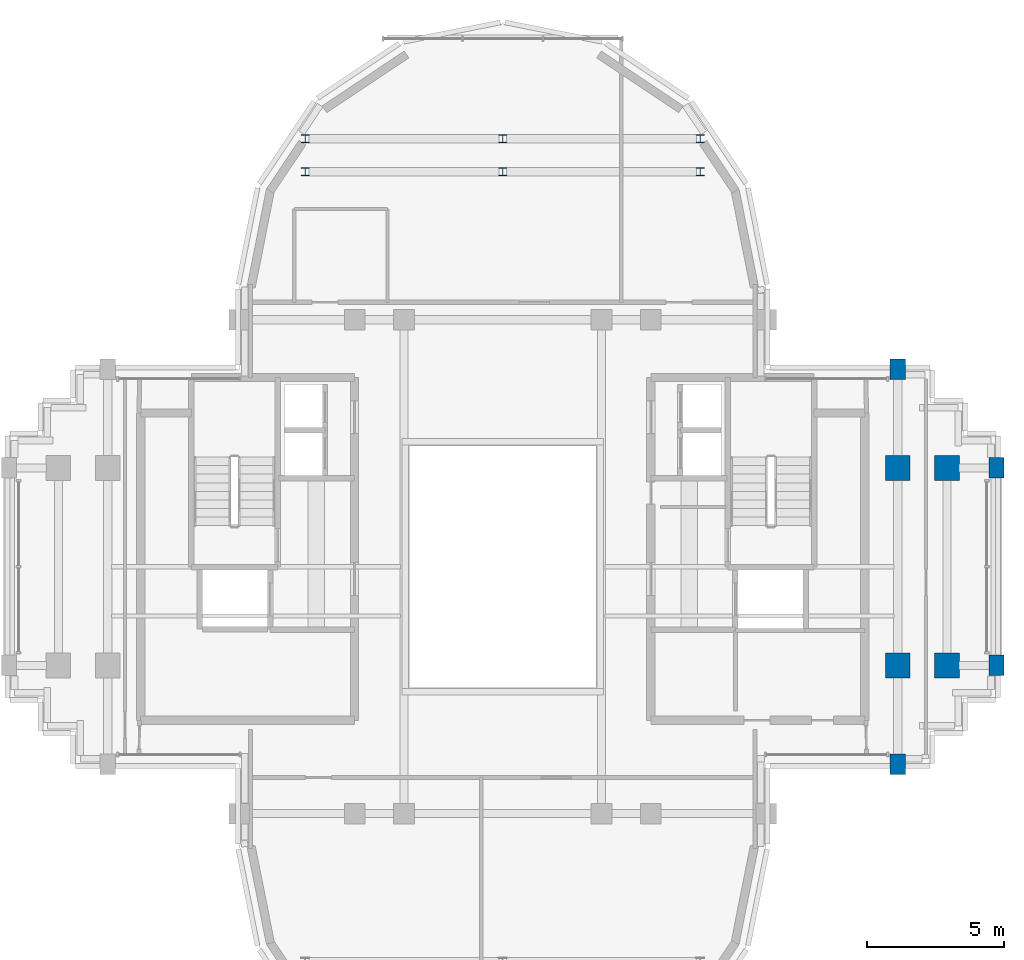
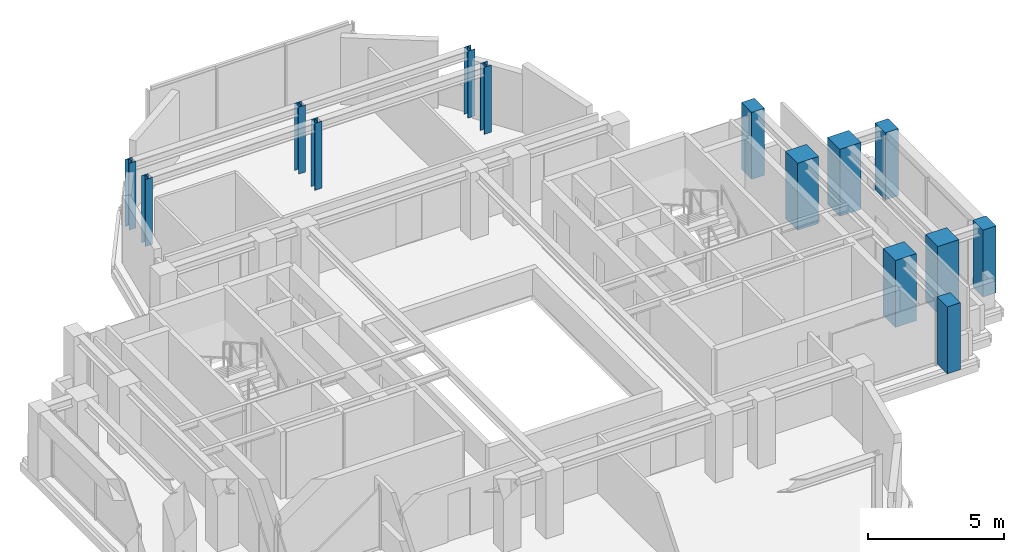
# One storey, part 2 of 12: 14 columns.
"""IFC4 building model written with IfcOpenShell, lengths in metres."""

import ifcopenshell
import ifcopenshell.guid

model = None  # the IFC model being written
_history = None  # IfcOwnerHistory: only IFC2X3 demands one
_inside = {}  # id of a spatial element -> (the spatial element, [elements in it])
_under = {}  # id of a project, library or spatial element -> (it, [spatial elements below it])
_declared = {}  # id of a project -> (the project, [libraries it declares])
_typed = {}  # id of a type object -> (the type object, [elements of that type])
_made_of = {}  # id of a material, layer set ... -> (it, [elements and type objects made of it])


def new_model(schema):
    """Start an empty IFC model of exactly this schema.

    Asked for "IFC4X3", IfcOpenShell would pick the latest addendum, in which some entities
    have other attributes; the version numbers below select the first issue.
    IFC2X3 requires an IfcOwnerHistory on every rooted entity: one is made here for all.
    """
    global model, _history
    if schema == "IFC4X3":
        model = ifcopenshell.file(schema_version=(4, 3, 0, 0))
    else:
        model = ifcopenshell.file(schema=schema)
    _inside.clear()
    _under.clear()
    _declared.clear()
    _typed.clear()
    _made_of.clear()
    _history = None
    if model.schema == "IFC2X3":
        org = make("IfcOrganization", Name="unknown")
        user = make(
            "IfcPersonAndOrganization",
            ThePerson=make("IfcPerson", FamilyName="unknown"),
            TheOrganization=org,
        )
        app = make(
            "IfcApplication",
            ApplicationDeveloper=org,
            Version="unknown",
            ApplicationFullName="unknown",
            ApplicationIdentifier="unknown",
        )
        _history = make(
            "IfcOwnerHistory",
            OwningUser=user,
            OwningApplication=app,
            ChangeAction="ADDED",
            CreationDate=0,
        )
    return model


def make(cls, **values):
    """One entity of the class cls with the attributes given. An attribute that is None is left unset."""
    return model.create_entity(
        cls, **{name: value for name, value in values.items() if value is not None}
    )


def rooted(cls, **values):
    """An entity with a GlobalId (a new one), such as an element, a storey or a relation."""
    return make(cls, GlobalId=ifcopenshell.guid.new(), OwnerHistory=_history, **values)


def si_unit(unit_type, name, prefix=None):
    """IfcSIUnit, for example si_unit("LENGTHUNIT", "METRE", prefix="MILLI")."""
    return make("IfcSIUnit", UnitType=unit_type, Prefix=prefix, Name=name)


def assignment(units):
    """IfcUnitAssignment: the units of a project."""
    return None if units is None else make("IfcUnitAssignment", Units=units)


def point(xyz):
    """IfcCartesianPoint."""
    return None if xyz is None else make("IfcCartesianPoint", Coordinates=xyz)


def direction(xyz):
    """IfcDirection."""
    return None if xyz is None else make("IfcDirection", DirectionRatios=xyz)


def frame(location, z_axis=None, x_axis=None):
    """IfcAxis2Placement3D, a coordinate frame: its origin and axes. An axis left out is left unset."""
    return make(
        "IfcAxis2Placement3D",
        Location=point(location),
        Axis=direction(z_axis),
        RefDirection=direction(x_axis),
    )


def frame_2d(location, x_axis=None):
    """IfcAxis2Placement2D, a coordinate frame in the plane: its origin and x axis."""
    return make(
        "IfcAxis2Placement2D", Location=point(location), RefDirection=direction(x_axis)
    )


def origin():
    """The frame at (0, 0, 0) with its axes left unset."""
    return frame((0.0, 0.0, 0.0))


def origin_2d():
    """The frame at (0, 0) in the plane with its x axis left unset."""
    return frame_2d((0.0, 0.0))


def place(relative_to, where):
    """IfcLocalPlacement: puts the frame where relative to a parent placement (None: the world)."""
    return make(
        "IfcLocalPlacement", PlacementRelTo=relative_to, RelativePlacement=where
    )


def context(
    kind, dimensions, precision=None, world=None, true_north=None, identifier=None
):
    """IfcGeometricRepresentationContext, for example the 3D "Model" context."""
    return make(
        "IfcGeometricRepresentationContext",
        ContextIdentifier=identifier,
        ContextType=kind,
        CoordinateSpaceDimension=dimensions,
        Precision=precision,
        WorldCoordinateSystem=world,
        TrueNorth=true_north,
    )


def subcontext(parent, identifier, kind, view, scale=None):
    """IfcGeometricRepresentationSubContext, for example "Body" below "Model"."""
    return make(
        "IfcGeometricRepresentationSubContext",
        ContextIdentifier=identifier,
        ContextType=kind,
        ParentContext=parent,
        TargetScale=scale,
        TargetView=view,
    )


def project(units=None, contexts=None):
    """IfcProject with its units and contexts."""
    return rooted(
        "IfcProject",
        Name="project",
        RepresentationContexts=contexts,
        UnitsInContext=assignment(units),
    )


def spatial(cls, under=None, at=None, **own):
    """A site, building, storey or space (cls), placed at a placement, below another one or the project."""
    s = rooted(cls, ObjectPlacement=at, **own)
    if under is not None:
        _under.setdefault(under.id(), (under, []))[1].append(s)
    return s


def profile(cls, at=None, kind="AREA", **sizes):
    """A parametric profile (cls). Its sizes go by their IFC names, for example OverallWidth=200.0."""
    return make(cls, ProfileType=kind, Position=at, **sizes)


def rectangle(**sizes):
    """IfcRectangleProfileDef."""
    return profile("IfcRectangleProfileDef", **sizes)


def i_section(**sizes):
    """IfcIShapeProfileDef."""
    return profile("IfcIShapeProfileDef", **sizes)


def extrude(swept, where, along, depth):
    """IfcExtrudedAreaSolid: the profile swept, set in the frame where, extruded along a direction by depth."""
    return make(
        "IfcExtrudedAreaSolid",
        SweptArea=swept,
        Position=where,
        ExtrudedDirection=direction(along),
        Depth=depth,
    )


def shape(context_of_items, identifier, shape_type, items):
    """IfcShapeRepresentation: the items that make up one representation, for example the "Body"."""
    return make(
        "IfcShapeRepresentation",
        ContextOfItems=context_of_items,
        RepresentationIdentifier=identifier,
        RepresentationType=shape_type,
        Items=items,
    )


def source(mapping_origin, context_of_items, identifier, shape_type, items):
    """IfcRepresentationMap: a shape defined once, which mapped items show again and again."""
    return make(
        "IfcRepresentationMap",
        MappingOrigin=mapping_origin,
        MappedRepresentation=shape(context_of_items, identifier, shape_type, items),
    )


def transform(
    local_origin,
    x_axis=None,
    y_axis=None,
    z_axis=None,
    scale=None,
    scale2=None,
    scale3=None,
    uniform=True,
):
    """IfcCartesianTransformationOperator3D, or its non-uniform kind. x_axis, y_axis, z_axis: its Axis1, 2, 3."""
    if uniform:
        return make(
            "IfcCartesianTransformationOperator3D",
            Axis1=direction(x_axis),
            Axis2=direction(y_axis),
            LocalOrigin=point(local_origin),
            Scale=scale,
            Axis3=direction(z_axis),
        )
    return make(
        "IfcCartesianTransformationOperator3DnonUniform",
        Axis1=direction(x_axis),
        Axis2=direction(y_axis),
        LocalOrigin=point(local_origin),
        Scale=scale,
        Axis3=direction(z_axis),
        Scale2=scale2,
        Scale3=scale3,
    )


def mapped(mapping_source, mapping_target):
    """IfcMappedItem: shows the shape of a source again, moved by a transform."""
    return make(
        "IfcMappedItem", MappingSource=mapping_source, MappingTarget=mapping_target
    )


def material(Name=None, Category=None):
    """IfcMaterial."""
    return make("IfcMaterial", Name=Name, Category=Category)


def material_profile(
    of_material, cross_section, Name=None, Category=None, Priority=None
):
    """IfcMaterialProfile: a cross section and its material."""
    return make(
        "IfcMaterialProfile",
        Name=Name,
        Material=of_material,
        Profile=cross_section,
        Priority=Priority,
        Category=Category,
    )


def profile_set(profiles, Name=None, composite=None):
    """IfcMaterialProfileSet."""
    return make(
        "IfcMaterialProfileSet",
        Name=Name,
        MaterialProfiles=profiles,
        CompositeProfile=composite,
    )


def made_of(thing, what):
    """Note that an element or type object is made of a material, layer set ...; save() writes the relation."""
    if what is not None:
        _made_of.setdefault(what.id(), (what, []))[1].append(thing)
    return thing


def type_object(cls, material=None, **own):
    """A type object (cls), such as IfcWallType, which elements share."""
    return made_of(rooted(cls, **own), material)


def element(
    cls,
    number,
    at=None,
    inside=None,
    cuts=None,
    type_object=None,
    material=None,
    context=None,
    identifier="Body",
    shape_type=None,
    held_by="IfcProductDefinitionShape",
    body=None,
    shapes=None,
    **own,
):
    """One element of the class cls, such as IfcWall. Its Tag is "e" and its number.

    at: its placement. inside: the storey or other place that contains it. cuts: it is an
    opening in that element (IfcRelVoidsElement). A single representation is given by context,
    identifier, shape_type and body (its items); several are given by shapes. held_by: the class
    of the entity that holds the representations. save() writes the other relations.
    """
    e = rooted(cls, Tag="e%d" % number, ObjectPlacement=at, **own)
    if body is not None:
        shapes = [shape(context, identifier, shape_type, body)]
    if shapes is not None:
        e.Representation = make(held_by, Representations=shapes)
    if inside is not None:
        _inside.setdefault(inside.id(), (inside, []))[1].append(e)
    if cuts is not None:
        rooted(
            "IfcRelVoidsElement", RelatingBuildingElement=cuts, RelatedOpeningElement=e
        )
    if type_object is not None:
        _typed.setdefault(type_object.id(), (type_object, []))[1].append(e)
    return made_of(e, material)


def aggregate(whole, parts):
    """IfcRelAggregates: a whole, such as a stair, and the parts it consists of."""
    return rooted("IfcRelAggregates", RelatingObject=whole, RelatedObjects=parts)


def save(model, path):
    """Write the relations noted so far, then the file.

    IfcRelAggregates (storeys below a building ...), IfcRelContainedInSpatialStructure (elements
    in a storey), IfcRelDefinesByType, IfcRelAssociatesMaterial and IfcRelDeclares: one each for
    every whole, place, type object, material and project.
    """
    for whole, parts in _under.values():
        aggregate(whole, parts)
    for where, things in _inside.values():
        rooted(
            "IfcRelContainedInSpatialStructure",
            RelatedElements=things,
            RelatingStructure=where,
        )
    for kind, things in _typed.values():
        rooted("IfcRelDefinesByType", RelatedObjects=things, RelatingType=kind)
    for what, things in _made_of.values():
        rooted("IfcRelAssociatesMaterial", RelatedObjects=things, RelatingMaterial=what)
    for by, libraries in _declared.values():
        rooted("IfcRelDeclares", RelatingContext=by, RelatedDefinitions=libraries)
    model.write(path)


model = new_model("IFC4")

# Units and contexts
model_context = context("Model", 3, precision=1e-05, world=origin(), true_north=direction((0.0, 1.0)))
body_context = subcontext(model_context, "Body", "Model", "MODEL_VIEW")
ifc_project = project(units=[si_unit("LENGTHUNIT", "METRE"), si_unit("AREAUNIT", "SQUARE_METRE"), si_unit("VOLUMEUNIT", "CUBIC_METRE"), si_unit("PLANEANGLEUNIT", "RADIAN"), si_unit("MASSUNIT", "GRAM", prefix="KILO")], contexts=[model_context])

# Site, building, storey
site_placement = place(None, origin())
site = spatial("IfcSite", under=ifc_project, at=site_placement, CompositionType="ELEMENT")
building_placement = place(site_placement, origin())
building = spatial("IfcBuilding", under=site, at=building_placement, Name="Keilestroom Media Tower", CompositionType="ELEMENT")
storey_placement = place(building_placement, frame((0.0, 0.0, 236.39990234375)))
storey = spatial("IfcBuildingStorey", under=building, at=storey_placement, Name="L65", CompositionType="ELEMENT", Elevation=236.39990234375)

# Columns
ifc_material_1 = material(Name="Precast concrete C40/50", Category="concrete")
ifc_material_profile_1 = material_profile(ifc_material_1, rectangle(XDim=0.550048828125, YDim=0.75, at=origin_2d()), Name="PC 750x550")
ifc_profile_set_1 = profile_set([ifc_material_profile_1], Name="Precast concrete C40/50")
column_type_1 = type_object("IfcColumnType", Name="Structural-Column-PC-750x550", PredefinedType="COLUMN", material=ifc_profile_set_1)
shared_shape_1 = source(origin(), body_context, "Body", "SweptSolid", [
    extrude(rectangle(XDim=0.550048828125, YDim=0.75, at=origin_2d()), origin(), (0.0, 0.0, 1.0), 3.010009765625),
])
for number, where, z_axis, x_axis, name in (
    (1, (14.39990234375, -7.199951171875, 0.0), (0.0, 0.0, 1.0), (1.0, 0.0, 0.0), "L65 Column PC-3 (+14.4,-7.2)"),
    (2, (14.39990234375, 7.199951171875, 0.0), (0.0, 0.0, 1.0), (1.0, 0.0, 0.0), "L65 Column PC-3 (+14.4,+7.2)"),
    (3, (18.0, -3.60009765625, 0.0), (0.0, 0.0, 1.0), (1.0, 0.0, 0.0), "L65 Column PC-3 (+18.0,-3.6)"),
    (4, (18.0, 3.60009765625, 0.0), (0.0, 0.0, 1.0), (1.0, 0.0, 0.0), "L65 Column PC-3 (+18.0,+3.6)"),
):
    element("IfcColumn", number, at=place(storey_placement, frame(where, z_axis=z_axis, x_axis=x_axis)), inside=storey, type_object=column_type_1, Name=name, PredefinedType="COLUMN", context=body_context, shape_type="MappedRepresentation", body=[
        mapped(shared_shape_1, transform((0.0, 0.0, 0.0), x_axis=(1.0, 0.0, 0.0), y_axis=(0.0, 1.0, 0.0), z_axis=(0.0, 0.0, 1.0), scale=1.0)),
    ])
ifc_material_2 = material(Name="Concrete C55/67", Category="concrete")
ifc_material_profile_2 = material_profile(ifc_material_2, rectangle(XDim=0.89990234375, YDim=0.89990234375, at=origin_2d()), Name="RC 900x900")
ifc_profile_set_2 = profile_set([ifc_material_profile_2], Name="Concrete C55/67")
column_type_2 = type_object("IfcColumnType", Name="Structural-Column-RC-900x900", PredefinedType="COLUMN", material=ifc_profile_set_2)
shared_shape_2 = source(origin(), body_context, "Body", "SweptSolid", [
    extrude(rectangle(XDim=0.89990234375, YDim=0.89990234375, at=origin_2d()), origin(), (0.0, 0.0, 1.0), 3.010009765625),
])
for number, where, z_axis, x_axis, name in (
    (5, (14.39990234375, -3.60009765625, 0.0), (0.0, 0.0, 1.0), (1.0, 0.0, 0.0), "L65 Column MC-4 (+14.4,-3.6)"),
    (6, (14.39990234375, 3.60009765625, 0.0), (0.0, 0.0, 1.0), (1.0, 0.0, 0.0), "L65 Column MC-4 (+14.4,+3.6)"),
    (7, (16.199951171875, -3.60009765625, 0.0), (0.0, 0.0, 1.0), (1.0, 0.0, 0.0), "L65 Column MC-4 (+16.2,-3.6)"),
    (8, (16.199951171875, 3.60009765625, 0.0), (0.0, 0.0, 1.0), (1.0, 0.0, 0.0), "L65 Column MC-4 (+16.2,+3.6)"),
):
    element("IfcColumn", number, at=place(storey_placement, frame(where, z_axis=z_axis, x_axis=x_axis)), inside=storey, type_object=column_type_2, Name=name, PredefinedType="COLUMN", context=body_context, shape_type="MappedRepresentation", body=[
        mapped(shared_shape_2, transform((0.0, 0.0, 0.0), x_axis=(1.0, 0.0, 0.0), y_axis=(0.0, 1.0, 0.0), z_axis=(0.0, 0.0, 1.0), scale=1.0)),
    ])
ifc_material_3 = material(Name="Steel S355", Category="steel")
ifc_material_profile_3 = material_profile(ifc_material_3, i_section(OverallWidth=0.300048828125, OverallDepth=0.300048828125, WebThickness=0.010986328125, FlangeThickness=0.01904296875, at=origin_2d()), Name="HEB 300")
ifc_profile_set_3 = profile_set([ifc_material_profile_3], Name="Steel S355")
column_type_3 = type_object("IfcColumnType", Name="Structural-Column-HEB-300", PredefinedType="COLUMN", material=ifc_profile_set_3)
shared_shape_3 = source(origin(), body_context, "Body", "SweptSolid", [
    extrude(i_section(OverallWidth=0.300048828125, OverallDepth=0.300048828125, WebThickness=0.010986328125, FlangeThickness=0.01904296875, at=origin_2d()), origin(), (0.0, 0.0, 1.0), 3.010009765625),
])
for number, where, z_axis, x_axis, name in (
    (9, (-7.199951171875, 14.39990234375, 0.0), (0.0, 0.0, 1.0), (1.0, 0.0, 0.0), "L65 Column SC-5 (-7.2,+14.4)"),
    (10, (-7.199951171875, 15.60009765625, 0.0), (0.0, 0.0, 1.0), (1.0, 0.0, 0.0), "L65 Column SC-5 (-7.2,+15.6)"),
    (11, (0.0, 14.39990234375, 0.0), (0.0, 0.0, 1.0), (1.0, 0.0, 0.0), "L65 Column SC-5 (+0.0,+14.4)"),
    (12, (0.0, 15.60009765625, 0.0), (0.0, 0.0, 1.0), (1.0, 0.0, 0.0), "L65 Column SC-5 (+0.0,+15.6)"),
    (13, (7.199951171875, 14.39990234375, 0.0), (0.0, 0.0, 1.0), (1.0, 0.0, 0.0), "L65 Column SC-5 (+7.2,+14.4)"),
    (14, (7.199951171875, 15.60009765625, 0.0), (0.0, 0.0, 1.0), (1.0, 0.0, 0.0), "L65 Column SC-5 (+7.2,+15.6)"),
):
    element("IfcColumn", number, at=place(storey_placement, frame(where, z_axis=z_axis, x_axis=x_axis)), inside=storey, type_object=column_type_3, Name=name, PredefinedType="COLUMN", context=body_context, shape_type="MappedRepresentation", body=[
        mapped(shared_shape_3, transform((0.0, 0.0, 0.0), x_axis=(1.0, 0.0, 0.0), y_axis=(0.0, 1.0, 0.0), z_axis=(0.0, 0.0, 1.0), scale=1.0)),
    ])

save(model, "model.ifc")
